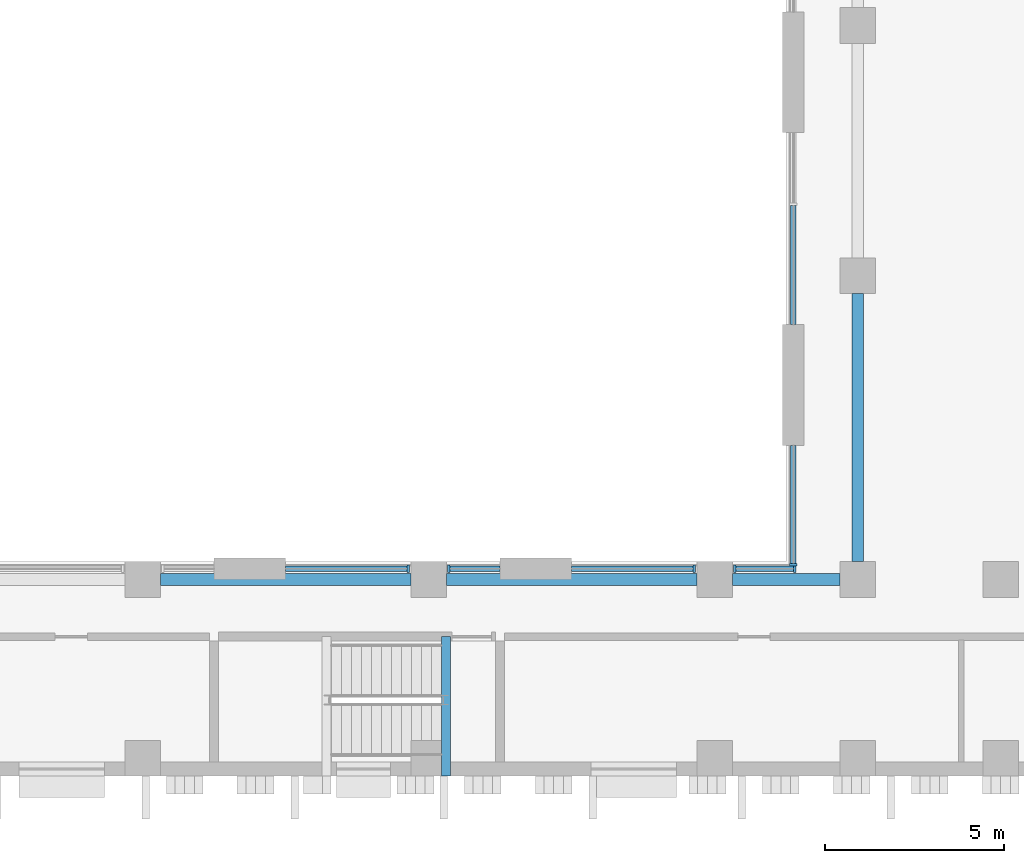
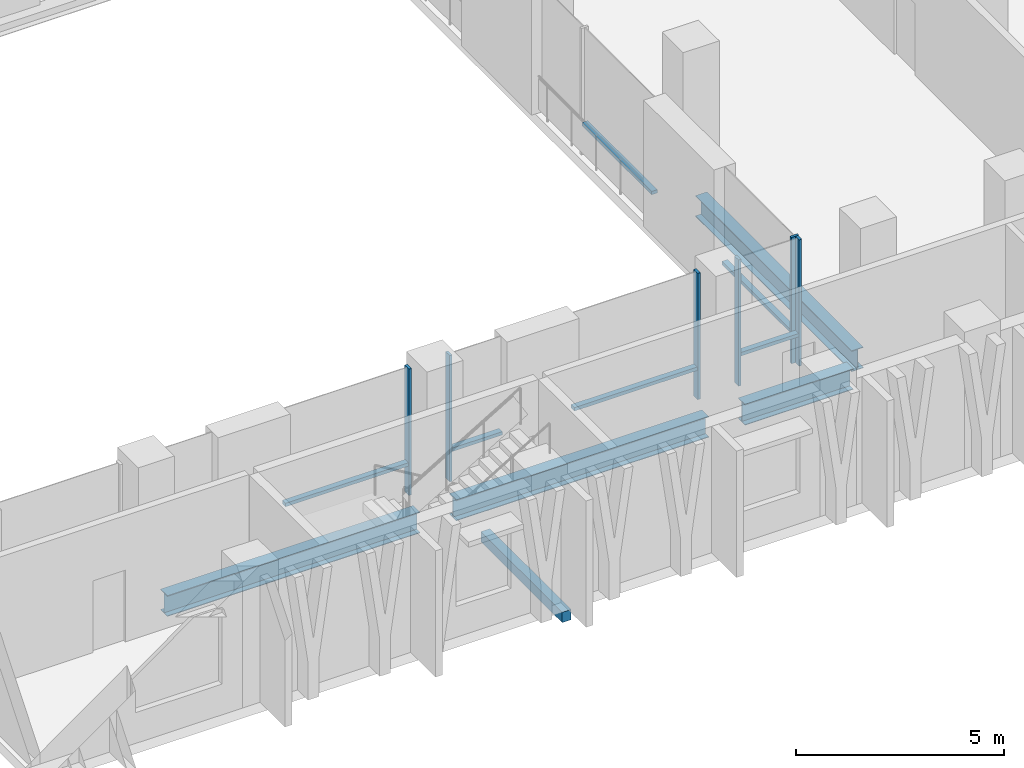
# One storey, part 3 of 25: 12 members, 5 beams, 6 elements without a shape of their own.
"""IFC4 building model written with IfcOpenShell, lengths in metres."""

from ifc_helpers import new_model, si_unit, direction, frame, origin, origin_2d, place, context, subcontext, project, spatial, rectangle, i_section, extrude, material, material_profile, profile_set, type_object, element, aggregate, save


model = new_model("IFC4")

# Units and contexts
model_context = context("Model", 3, precision=1e-05, world=origin(), true_north=direction((0.0, 1.0)))
body_context = subcontext(model_context, "Body", "Model", "MODEL_VIEW")
ifc_project = project(units=[si_unit("LENGTHUNIT", "METRE"), si_unit("AREAUNIT", "SQUARE_METRE"), si_unit("VOLUMEUNIT", "CUBIC_METRE"), si_unit("PLANEANGLEUNIT", "RADIAN"), si_unit("MASSUNIT", "GRAM", prefix="KILO")], contexts=[model_context])

# Site, building, storey
site_placement = place(None, origin())
site = spatial("IfcSite", under=ifc_project, at=site_placement, CompositionType="ELEMENT")
building_placement = place(site_placement, origin())
building = spatial("IfcBuilding", under=site, at=building_placement, Name="Vidyagriha Tower", CompositionType="ELEMENT")
storey_placement = place(building_placement, frame((0.0, 0.0, 14.0)))
storey = spatial("IfcBuildingStorey", under=building, at=storey_placement, Name="L03", CompositionType="ELEMENT", Elevation=14.0)

# Beams
ifc_material_1 = material(Name="Steel ASTM A992 Grade 50", Category="steel")
ifc_material_profile_1 = material_profile(ifc_material_1, i_section(OverallWidth=0.32373046875, OverallDepth=0.612060546875, WebThickness=0.0126953125, FlangeThickness=0.01904296875, at=origin_2d()), Name="W24X104")
ifc_profile_set_1 = profile_set([ifc_material_profile_1], Name="Steel ASTM A992 Grade 50")
beam_type_1 = type_object("IfcBeamType", Name="Atrium edge beam W24X104", PredefinedType="BEAM", material=ifc_profile_set_1)
for number, where, z_axis, x_axis, name in (
    (1, (2.5, -44.5, -0.60595703125), (1.0, 0.0, 0.0), (0.0, 1.0, 0.0), "st-beam-L03-AT04"),
    (2, (10.5, -44.5, -0.60595703125), (1.0, 0.0, 0.0), (0.0, 1.0, 0.0), "st-beam-L03-AT05"),
):
    element("IfcBeam", number, at=place(storey_placement, frame(where, z_axis=z_axis, x_axis=x_axis)), inside=storey, type_object=beam_type_1, Name=name, PredefinedType="BEAM", context=body_context, shape_type="SweptSolid", body=[
        extrude(i_section(OverallWidth=0.32373046875, OverallDepth=0.612060546875, WebThickness=0.0126953125, FlangeThickness=0.01904296875, at=origin_2d()), origin(), (0.0, 0.0, 1.0), 7.0),
    ])
beam_1_placement = place(storey_placement, frame((18.5, -44.5, -0.60595703125), z_axis=(1.0, 0.0, 0.0), x_axis=(0.0, 1.0, 0.0)))
element("IfcBeam", 3, at=beam_1_placement, inside=storey, type_object=beam_type_1, Name="st-beam-L03-AT06", PredefinedType="BEAM", context=body_context, shape_type="SweptSolid", body=[
    extrude(i_section(OverallWidth=0.32373046875, OverallDepth=0.612060546875, WebThickness=0.0126953125, FlangeThickness=0.01904296875, at=origin_2d()), origin(), (0.0, 0.0, 1.0), 3.0),
])
beam_2_placement = place(storey_placement, frame((22.0, -44.0, -0.60595703125), z_axis=(0.0, 1.0, 0.0), x_axis=(-1.0, 0.0, 0.0)))
element("IfcBeam", 4, at=beam_2_placement, inside=storey, type_object=beam_type_1, Name="st-beam-L03-AT16", PredefinedType="BEAM", context=body_context, shape_type="SweptSolid", body=[
    extrude(i_section(OverallWidth=0.32373046875, OverallDepth=0.612060546875, WebThickness=0.0126953125, FlangeThickness=0.01904296875, at=origin_2d()), origin(), (0.0, 0.0, 1.0), 7.5),
])

# Curtain wall, members
ifc_material_2 = material(Name="Aluminium and glass curtain wall", Category="aluminium")
curtain_wall_type = type_object("IfcCurtainWallType", Name="Atrium screen curtain wall", PredefinedType="USERDEFINED", material=ifc_material_2)
curtain_wall_1_placement = place(storey_placement, origin())
curtain_wall_1 = element("IfcCurtainWall", 5, at=curtain_wall_1_placement, inside=storey, type_object=curtain_wall_type, Name="CW6 atrium screen", ObjectType="UNITISED", PredefinedType="USERDEFINED")
ifc_material_3 = material(Name="Aluminium black anodised", Category="aluminium")
ifc_material_profile_2 = material_profile(ifc_material_3, rectangle(XDim=0.199951171875, YDim=0.070068359375, at=origin_2d()), Name="Mullion 70x200 black aluminium")
ifc_profile_set_2 = profile_set([ifc_material_profile_2], Name="Aluminium black anodised")
member_type_1 = type_object("IfcMemberType", Name="Mullion 70x200 black aluminium", PredefinedType="MULLION", material=ifc_profile_set_2)
member_1_placement = place(storey_placement, frame((20.2451171875, -44.199951171875, 0.0), z_axis=(0.0, 0.0, 1.0), x_axis=(0.0, -1.0, 0.0)))
member_1 = element("IfcMember", 6, at=member_1_placement, type_object=member_type_1, Name="CW6 mullion 1", PredefinedType="MULLION", context=body_context, shape_type="SweptSolid", body=[
    extrude(rectangle(XDim=0.199951171875, YDim=0.070068359375, at=origin_2d()), origin(), (0.0, 0.0, 1.0), 3.699951171875),
])
member_2_placement = place(storey_placement, frame((18.56494140625, -44.199951171875, 0.0), z_axis=(0.0, 0.0, 1.0), x_axis=(0.0, -1.0, 0.0)))
member_2 = element("IfcMember", 7, at=member_2_placement, type_object=member_type_1, Name="CW6 mullion 2", PredefinedType="MULLION", context=body_context, shape_type="SweptSolid", body=[
    extrude(rectangle(XDim=0.199951171875, YDim=0.070068359375, at=origin_2d()), origin(), (0.0, 0.0, 1.0), 3.699951171875),
])

# Curtain wall, member
curtain_wall_2_placement = place(storey_placement, origin())
curtain_wall_2 = element("IfcCurtainWall", 8, at=curtain_wall_2_placement, inside=storey, type_object=curtain_wall_type, Name="CW6 atrium screen", ObjectType="UNITISED", PredefinedType="USERDEFINED")
member_3_placement = place(storey_placement, frame((17.43505859375, -44.199951171875, 0.0), z_axis=(0.0, 0.0, 1.0), x_axis=(0.0, -1.0, 0.0)))
member_3 = element("IfcMember", 9, at=member_3_placement, type_object=member_type_1, Name="CW6 mullion 1", PredefinedType="MULLION", context=body_context, shape_type="SweptSolid", body=[
    extrude(rectangle(XDim=0.199951171875, YDim=0.070068359375, at=origin_2d()), origin(), (0.0, 0.0, 1.0), 3.699951171875),
])

curtain_wall_3_placement = place(storey_placement, origin())
curtain_wall_3 = element("IfcCurtainWall", 10, at=curtain_wall_3_placement, inside=storey, type_object=curtain_wall_type, Name="CW6 atrium screen", ObjectType="UNITISED", PredefinedType="USERDEFINED")
member_4_placement = place(storey_placement, frame((10.56494140625, -44.199951171875, 0.0), z_axis=(0.0, 0.0, 1.0), x_axis=(0.0, -1.0, 0.0)))
member_4 = element("IfcMember", 11, at=member_4_placement, type_object=member_type_1, Name="CW6 mullion 2", PredefinedType="MULLION", context=body_context, shape_type="SweptSolid", body=[
    extrude(rectangle(XDim=0.199951171875, YDim=0.070068359375, at=origin_2d()), origin(), (0.0, 0.0, 1.0), 3.699951171875),
])

curtain_wall_4_placement = place(storey_placement, origin())
curtain_wall_4 = element("IfcCurtainWall", 12, at=curtain_wall_4_placement, inside=storey, type_object=curtain_wall_type, Name="CW6 atrium screen", ObjectType="UNITISED", PredefinedType="USERDEFINED")
member_5_placement = place(storey_placement, frame((9.43505859375, -44.199951171875, 0.0), z_axis=(0.0, 0.0, 1.0), x_axis=(0.0, -1.0, 0.0)))
member_5 = element("IfcMember", 13, at=member_5_placement, type_object=member_type_1, Name="CW6 mullion 1", PredefinedType="MULLION", context=body_context, shape_type="SweptSolid", body=[
    extrude(rectangle(XDim=0.199951171875, YDim=0.070068359375, at=origin_2d()), origin(), (0.0, 0.0, 1.0), 3.699951171875),
])

curtain_wall_5_placement = place(storey_placement, origin())
curtain_wall_5 = element("IfcCurtainWall", 14, at=curtain_wall_5_placement, inside=storey, type_object=curtain_wall_type, Name="CW6 atrium screen", ObjectType="UNITISED", PredefinedType="USERDEFINED")
member_6_placement = place(storey_placement, frame((20.199951171875, -44.0849609375, 0.0)))
member_6 = element("IfcMember", 15, at=member_6_placement, type_object=member_type_1, Name="CW6 mullion 2", PredefinedType="MULLION", context=body_context, shape_type="SweptSolid", body=[
    extrude(rectangle(XDim=0.199951171875, YDim=0.070068359375, at=origin_2d()), origin(), (0.0, 0.0, 1.0), 3.699951171875),
])

# Beam
ifc_material_4 = material(Name="Concrete C40/50", Category="concrete")
ifc_material_profile_3 = material_profile(ifc_material_4, rectangle(XDim=0.25, YDim=0.300048828125, at=origin_2d()), Name="Stair landing bearing beam 250x300")
ifc_profile_set_3 = profile_set([ifc_material_profile_3], Name="Concrete C40/50")
beam_type_2 = type_object("IfcBeamType", Name="Stair landing bearing beam 250x300", PredefinedType="BEAM", material=ifc_profile_set_3)
beam_3_placement = place(storey_placement, frame((10.47998046875, -50.0, -0.449951171875), z_axis=(0.0, 1.0, 0.0), x_axis=(-1.0, 0.0, 0.0)))
element("IfcBeam", 16, at=beam_3_placement, inside=storey, type_object=beam_type_2, Name="PS4 floor landing bearing beam L03", PredefinedType="BEAM", context=body_context, shape_type="SweptSolid", body=[
    extrude(rectangle(XDim=0.25, YDim=0.300048828125, at=origin_2d()), origin(), (0.0, 0.0, 1.0), 3.89990234375),
])

# Member
ifc_material_5 = material(Name="Aluminium black anodised", Category="aluminium")
ifc_material_profile_4 = material_profile(ifc_material_5, rectangle(XDim=0.159912109375, YDim=0.10009765625, at=origin_2d()), Name="Transom 100x160 black aluminium")
ifc_profile_set_4 = profile_set([ifc_material_profile_4], Name="Aluminium black anodised")
member_type_2 = type_object("IfcMemberType", Name="Transom 100x160 black aluminium", PredefinedType="USERDEFINED", material=ifc_profile_set_4)
member_7_placement = place(storey_placement, frame((20.2099609375, -44.199951171875, 0.89990234375), z_axis=(-1.0, 0.0, 0.0), x_axis=(0.0, -1.0, 0.0)))
member_7 = element("IfcMember", 17, at=member_7_placement, type_object=member_type_2, Name="CW6 transom 1.1", ObjectType="TRANSOM", PredefinedType="USERDEFINED", context=body_context, shape_type="SweptSolid", body=[
    extrude(rectangle(XDim=0.159912109375, YDim=0.10009765625, at=origin_2d()), origin(), (0.0, 0.0, 1.0), 1.60986328125),
])

aggregate(curtain_wall_1, [member_1, member_2, member_7])

member_8_placement = place(storey_placement, frame((17.39990234375, -44.199951171875, 0.89990234375), z_axis=(-1.0, 0.0, 0.0), x_axis=(0.0, -1.0, 0.0)))
member_8 = element("IfcMember", 18, at=member_8_placement, type_object=member_type_2, Name="CW6 transom 1.1", ObjectType="TRANSOM", PredefinedType="USERDEFINED", context=body_context, shape_type="SweptSolid", body=[
    extrude(rectangle(XDim=0.159912109375, YDim=0.10009765625, at=origin_2d()), origin(), (0.0, 0.0, 1.0), 3.39990234375),
])

aggregate(curtain_wall_2, [member_3, member_8])

member_9_placement = place(storey_placement, frame((12.0, -44.199951171875, 0.89990234375), z_axis=(-1.0, 0.0, 0.0), x_axis=(0.0, -1.0, 0.0)))
member_9 = element("IfcMember", 19, at=member_9_placement, type_object=member_type_2, Name="CW6 transom 1.1", ObjectType="TRANSOM", PredefinedType="USERDEFINED", context=body_context, shape_type="SweptSolid", body=[
    extrude(rectangle(XDim=0.159912109375, YDim=0.10009765625, at=origin_2d()), origin(), (0.0, 0.0, 1.0), 1.39990234375),
])

aggregate(curtain_wall_3, [member_4, member_9])

member_10_placement = place(storey_placement, frame((9.39990234375, -44.199951171875, 0.89990234375), z_axis=(-1.0, 0.0, 0.0), x_axis=(0.0, -1.0, 0.0)))
member_10 = element("IfcMember", 20, at=member_10_placement, type_object=member_type_2, Name="CW6 transom 1.1", ObjectType="TRANSOM", PredefinedType="USERDEFINED", context=body_context, shape_type="SweptSolid", body=[
    extrude(rectangle(XDim=0.159912109375, YDim=0.10009765625, at=origin_2d()), origin(), (0.0, 0.0, 1.0), 3.39990234375),
])

aggregate(curtain_wall_4, [member_5, member_10])

# Curtain wall, member
curtain_wall_6_placement = place(storey_placement, origin())
curtain_wall_6 = element("IfcCurtainWall", 21, at=curtain_wall_6_placement, inside=storey, type_object=curtain_wall_type, Name="CW6 atrium screen", ObjectType="UNITISED", PredefinedType="USERDEFINED")
member_11_placement = place(storey_placement, frame((20.199951171875, -34.034912109375, 0.89990234375), z_axis=(0.0, -1.0, 0.0), x_axis=(1.0, 0.0, 0.0)))
member_11 = element("IfcMember", 22, at=member_11_placement, type_object=member_type_2, Name="CW6 transom 2.1", ObjectType="TRANSOM", PredefinedType="USERDEFINED", context=body_context, shape_type="SweptSolid", body=[
    extrude(rectangle(XDim=0.159912109375, YDim=0.10009765625, at=origin_2d()), origin(), (0.0, 0.0, 1.0), 3.33837890625),
])
aggregate(curtain_wall_6, [member_11])

# Member
member_12_placement = place(storey_placement, frame((20.199951171875, -40.74658203125, 0.89990234375), z_axis=(0.0, -1.0, 0.0), x_axis=(1.0, 0.0, 0.0)))
member_12 = element("IfcMember", 23, at=member_12_placement, type_object=member_type_2, Name="CW6 transom 1.1", ObjectType="TRANSOM", PredefinedType="USERDEFINED", context=body_context, shape_type="SweptSolid", body=[
    extrude(rectangle(XDim=0.159912109375, YDim=0.10009765625, at=origin_2d()), origin(), (0.0, 0.0, 1.0), 3.303466796875),
])

aggregate(curtain_wall_5, [member_6, member_12])

save(model, "model.ifc")
